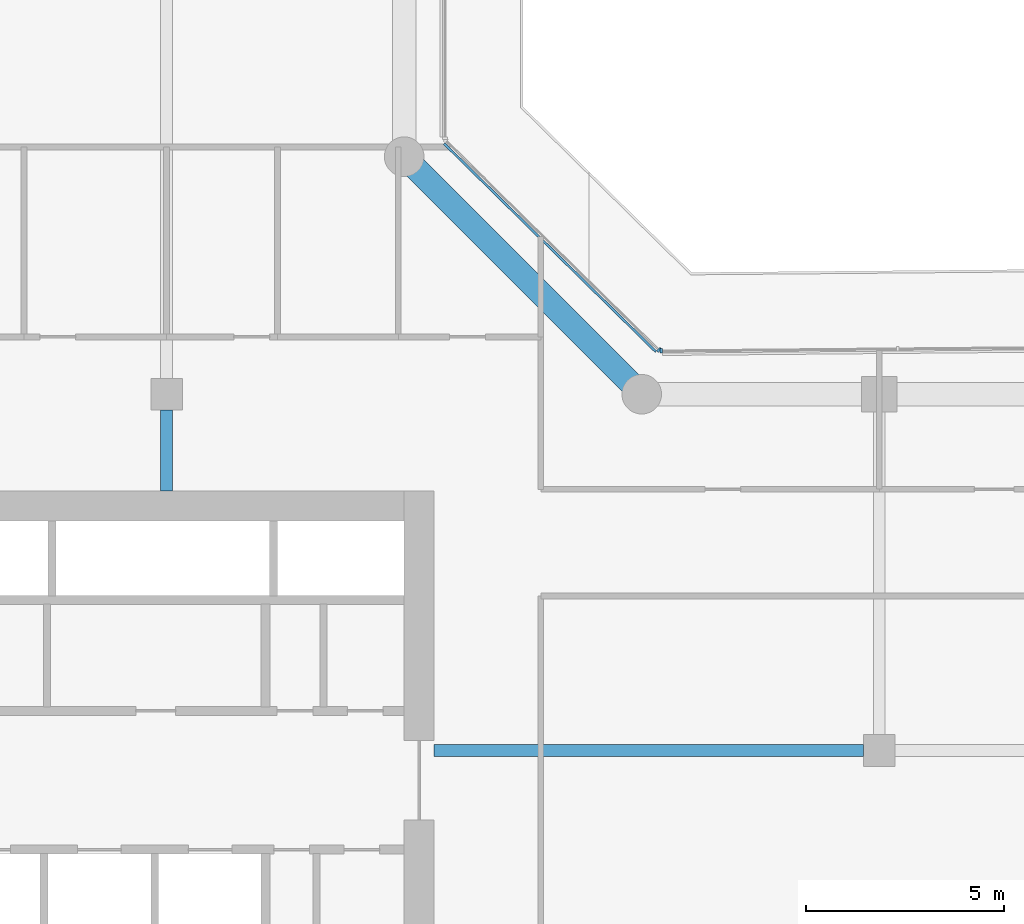
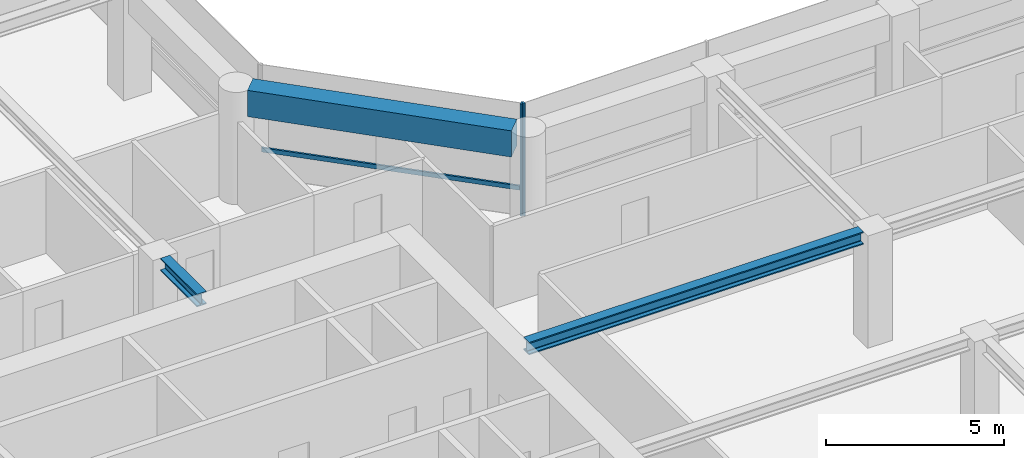
# One storey, part 5 of 21: 3 beams, 3 members, 2 elements without a shape of their own.
"""IFC4 building model written with IfcOpenShell, lengths in metres."""

from ifc_helpers import new_model, si_unit, direction, frame, origin, origin_2d, place, context, subcontext, project, spatial, rectangle, i_section, extrude, material, layer, layer_set, material_profile, profile_set, type_object, element, aggregate, save


model = new_model("IFC4")

# Units and contexts
model_context = context("Model", 3, precision=1e-05, world=origin(), true_north=direction((0.0, 1.0)))
body_context = subcontext(model_context, "Body", "Model", "MODEL_VIEW")
ifc_project = project(units=[si_unit("LENGTHUNIT", "METRE"), si_unit("AREAUNIT", "SQUARE_METRE"), si_unit("VOLUMEUNIT", "CUBIC_METRE"), si_unit("PLANEANGLEUNIT", "RADIAN"), si_unit("MASSUNIT", "GRAM", prefix="KILO")], contexts=[model_context])

# Site, building, storey
site_placement = place(None, origin())
site = spatial("IfcSite", under=ifc_project, at=site_placement, CompositionType="ELEMENT")
building_placement = place(site_placement, origin())
building = spatial("IfcBuilding", under=site, at=building_placement, Name="Welwitschia Terrace Campus", CompositionType="ELEMENT")
storey_placement = place(building_placement, frame((0.0, 0.0, 108.800048828125)))
storey = spatial("IfcBuildingStorey", under=building, at=storey_placement, Name="L24", CompositionType="ELEMENT", Elevation=108.800048828125)

# Beams
ifc_material_1 = material(Name="Steel S355", Category="steel")
ifc_material_profile_1 = material_profile(ifc_material_1, i_section(OverallWidth=0.306884765625, OverallDepth=0.431884765625, WebThickness=0.02099609375, FlangeThickness=0.0400390625, FilletRadius=0.027099609375, at=origin_2d()))
ifc_profile_set_1 = profile_set([ifc_material_profile_1], Name="Steel S355")
beam_type_1 = type_object("IfcBeamType", Name="Interior girder HE 400 M", PredefinedType="BEAM", material=ifc_profile_set_1)
beam_1_placement = place(storey_placement, frame((24.7509765625, 19.0, 3.634033203125), z_axis=(1.0, 0.0, 0.0), x_axis=(0.0, 1.0, 0.0)))
element("IfcBeam", 1, at=beam_1_placement, inside=storey, type_object=beam_type_1, Name="Girder GB3", PredefinedType="BEAM", context=body_context, shape_type="SweptSolid", body=[
    extrude(i_section(OverallWidth=0.306884765625, OverallDepth=0.431884765625, WebThickness=0.02099609375, FlangeThickness=0.0400390625, FilletRadius=0.027099609375, at=origin_2d()), origin(), (0.0, 0.0, 1.0), 10.8486328125),
])
beam_2_placement = place(storey_placement, frame((18.0, 25.551025390625, 3.634033203125), z_axis=(0.0, 1.0, 0.0), x_axis=(-1.0, 0.0, 0.0)))
element("IfcBeam", 2, at=beam_2_placement, inside=storey, type_object=beam_type_1, Name="Girder GB3", PredefinedType="BEAM", context=body_context, shape_type="SweptSolid", body=[
    extrude(i_section(OverallWidth=0.306884765625, OverallDepth=0.431884765625, WebThickness=0.02099609375, FlangeThickness=0.0400390625, FilletRadius=0.027099609375, at=origin_2d()), origin(), (0.0, 0.0, 1.0), 2.048583984375),
])

# Curtain wall, member
ifc_material_2 = material(Name="Bronze anodised aluminium", Category="aluminium")
ifc_layer = layer(ifc_material_2, 0.1201171875)
ifc_layer_set = layer_set([ifc_layer], Name="Bronze anodised aluminium")
curtain_wall_type = type_object("IfcCurtainWallType", Name="Curtain wall CW2 tower 6000", PredefinedType="NOTDEFINED", material=ifc_layer_set)
curtain_wall_1_placement = place(storey_placement, origin())
curtain_wall_1 = element("IfcCurtainWall", 3, at=curtain_wall_1_placement, inside=storey, type_object=curtain_wall_type, Name="CW L24.8.0", PredefinedType="NOTDEFINED")
ifc_material_3 = material(Name="Bronze anodised aluminium", Category="aluminium")
ifc_material_profile_2 = material_profile(ifc_material_3, rectangle(XDim=0.1201171875, YDim=0.06005859375, at=origin_2d()))
ifc_profile_set_2 = profile_set([ifc_material_profile_2], Name="Bronze anodised aluminium")
member_type_1 = type_object("IfcMemberType", Name="Mullion 60x120", PredefinedType="MULLION", material=ifc_profile_set_2)
member_1_placement = place(storey_placement, frame((30.49267578125, 29.09814453125, 0.0), z_axis=(0.0, 0.0, 1.0), x_axis=(0.008726535498, -0.999961923064, 0.0)))
member_1 = element("IfcMember", 4, at=member_1_placement, type_object=member_type_1, Name="Mullion L24.8.0.3", PredefinedType="MULLION", context=body_context, shape_type="SweptSolid", body=[
    extrude(rectangle(XDim=0.1201171875, YDim=0.06005859375, at=origin_2d()), origin(), (0.0, 0.0, 1.0), 3.849853515625),
])
aggregate(curtain_wall_1, [member_1])

curtain_wall_2_placement = place(storey_placement, origin())
curtain_wall_2 = element("IfcCurtainWall", 5, at=curtain_wall_2_placement, inside=storey, type_object=curtain_wall_type, Name="CW L24.9.0", PredefinedType="NOTDEFINED")
member_2_placement = place(storey_placement, frame((30.441162109375, 29.118896484375, 0.0), z_axis=(0.0, 0.0, 1.0), x_axis=(-0.7009092643, -0.713250449154, 0.0)))
member_2 = element("IfcMember", 6, at=member_2_placement, type_object=member_type_1, Name="Mullion L24.9.0.0", PredefinedType="MULLION", context=body_context, shape_type="SweptSolid", body=[
    extrude(rectangle(XDim=0.1201171875, YDim=0.06005859375, at=origin_2d()), origin(), (0.0, 0.0, 1.0), 3.849853515625),
])

# Beam
ifc_material_4 = material(Name="Concrete C60/75", Category="concrete")
ifc_material_profile_3 = material_profile(ifc_material_4, rectangle(XDim=0.60009765625, YDim=0.89990234375, at=origin_2d()))
ifc_profile_set_3 = profile_set([ifc_material_profile_3], Name="Concrete C60/75")
beam_type_2 = type_object("IfcBeamType", Name="Ring spandrel 600x900", PredefinedType="SPANDREL", material=ifc_profile_set_3)
beam_3_placement = place(storey_placement, frame((29.716796875, 28.283203125, 3.39990234375), z_axis=(-0.707106781187, 0.707106781187, 0.0), x_axis=(-0.707106781187, -0.707106781187, 0.0)))
element("IfcBeam", 7, at=beam_3_placement, inside=storey, type_object=beam_type_2, Name="Spandrel SP2", PredefinedType="SPANDREL", context=body_context, shape_type="SweptSolid", body=[
    extrude(rectangle(XDim=0.60009765625, YDim=0.89990234375, at=origin_2d()), origin(), (0.0, 0.0, 1.0), 7.684326171875),
])

# Member
ifc_material_5 = material(Name="Bronze anodised aluminium", Category="aluminium")
ifc_material_profile_4 = material_profile(ifc_material_5, rectangle(XDim=0.06005859375, YDim=0.14990234375, at=origin_2d()))
ifc_profile_set_4 = profile_set([ifc_material_profile_4], Name="Bronze anodised aluminium")
member_type_2 = type_object("IfcMemberType", Name="Transom 60x150", PredefinedType="USERDEFINED", material=ifc_profile_set_4)
member_3_placement = place(storey_placement, frame((30.356689453125, 29.07568359375, 1.0), z_axis=(-0.713251308134, 0.700908390195, 0.0), x_axis=(-0.700908390195, -0.713251308134, 0.0)))
member_3 = element("IfcMember", 8, at=member_3_placement, type_object=member_type_2, Name="Transom L24.9.0", ObjectType="TRANSOM", PredefinedType="USERDEFINED", context=body_context, shape_type="SweptSolid", body=[
    extrude(rectangle(XDim=0.06005859375, YDim=0.14990234375, at=origin_2d()), origin(), (0.0, 0.0, 1.0), 7.49658203125),
])

aggregate(curtain_wall_2, [member_2, member_3])

save(model, "model.ifc")
